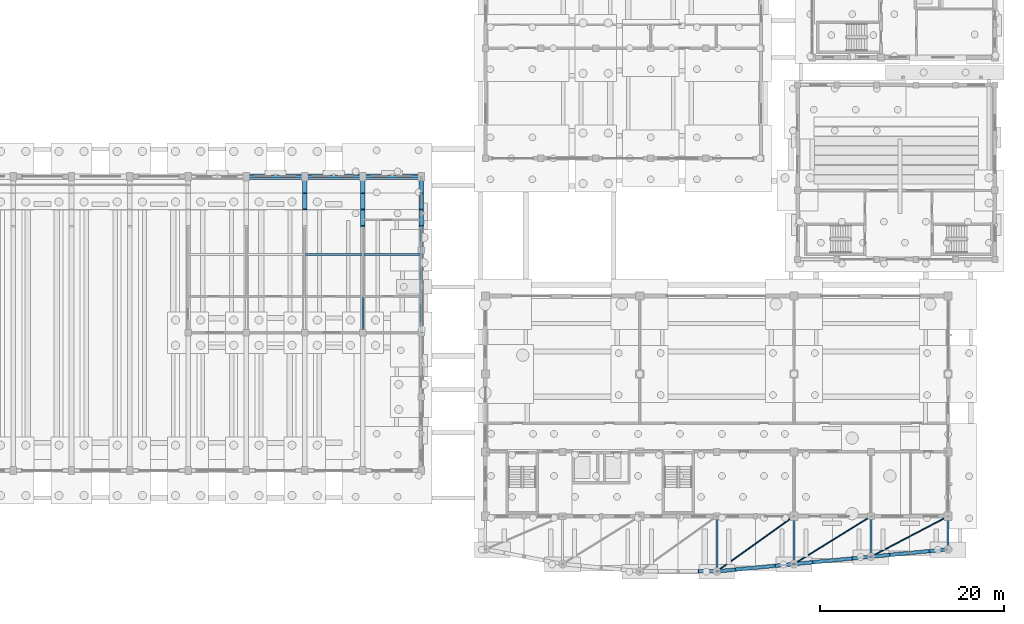
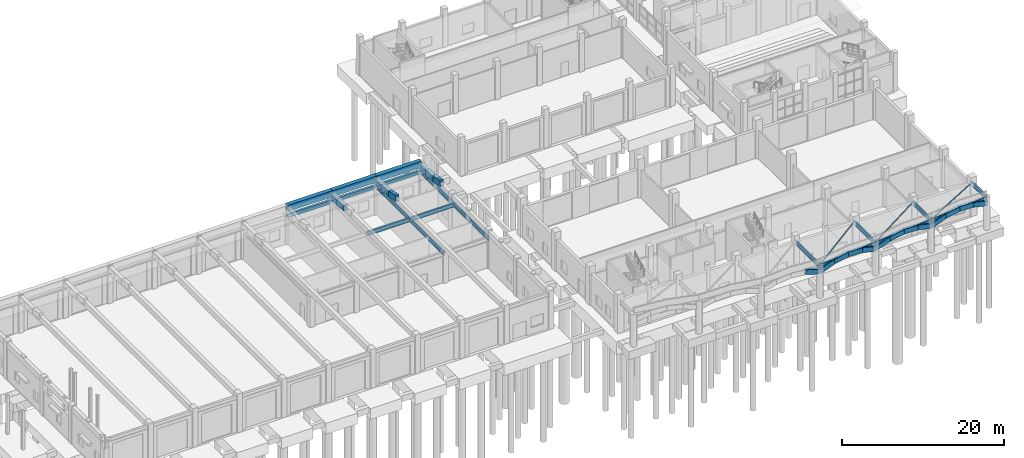
# One storey, part 18 of 60: 24 members, 17 beams.
"""IFC4 building model written with IfcOpenShell, lengths in metres."""

from ifc_helpers import new_model, si_unit, direction, frame, origin, origin_2d, place, context, subcontext, project, spatial, rectangle, hollow_circle, i_section, extrude, material, material_profile, profile_set, type_object, element, save


model = new_model("IFC4")

# Units and contexts
model_context = context("Model", 3, precision=1e-05, world=origin(), true_north=direction((0.0, 1.0)))
body_context = subcontext(model_context, "Body", "Model", "MODEL_VIEW")
ifc_project = project(units=[si_unit("LENGTHUNIT", "METRE"), si_unit("AREAUNIT", "SQUARE_METRE"), si_unit("VOLUMEUNIT", "CUBIC_METRE"), si_unit("PLANEANGLEUNIT", "RADIAN"), si_unit("MASSUNIT", "GRAM", prefix="KILO")], contexts=[model_context])

# Site, building, storey
site_placement = place(None, origin())
site = spatial("IfcSite", under=ifc_project, at=site_placement, CompositionType="ELEMENT")
building_placement = place(site_placement, origin())
building = spatial("IfcBuilding", under=site, at=building_placement, Name="Trellovar Central Fire Station", CompositionType="ELEMENT")
storey_placement = place(building_placement, origin())
storey = spatial("IfcBuildingStorey", under=building, at=storey_placement, Name="L01", CompositionType="ELEMENT", Elevation=0.0)

# Beams
ifc_material_1 = material(Name="Concrete C40/50", Category="concrete")
ifc_material_profile_1 = material_profile(ifc_material_1, rectangle(XDim=0.60009765625, YDim=0.949951171875, at=origin_2d()), Name="RC600X950")
ifc_profile_set_1 = profile_set([ifc_material_profile_1], Name="Concrete C40/50")
beam_type_1 = type_object("IfcBeamType", Name="BM-RG2", PredefinedType="BEAM", material=ifc_profile_set_1)
beam_1_placement = place(storey_placement, frame((79.449951171875, 46.0, 5.324951171875), z_axis=(1.0, 0.0, 0.0), x_axis=(0.0, 1.0, 0.0)))
element("IfcBeam", 1, at=beam_1_placement, inside=storey, type_object=beam_type_1, Name="V1 north vault springing ring beam", PredefinedType="BEAM", context=body_context, shape_type="SweptSolid", body=[
    extrude(rectangle(XDim=0.60009765625, YDim=0.949951171875, at=origin_2d()), origin(), (0.0, 0.0, 1.0), 6.35009765625),
])
beam_2_placement = place(storey_placement, frame((85.800048828125, 46.0, 5.324951171875), z_axis=(1.0, 0.0, 0.0), x_axis=(0.0, 1.0, 0.0)))
element("IfcBeam", 2, at=beam_2_placement, inside=storey, type_object=beam_type_1, Name="V1 north vault springing ring beam", PredefinedType="BEAM", context=body_context, shape_type="SweptSolid", body=[
    extrude(rectangle(XDim=0.60009765625, YDim=0.949951171875, at=origin_2d()), origin(), (0.0, 0.0, 1.0), 6.349853515625),
])
beam_3_placement = place(storey_placement, frame((92.14990234375, 46.0, 5.324951171875), z_axis=(1.0, 0.0, 0.0), x_axis=(0.0, 1.0, 0.0)))
element("IfcBeam", 3, at=beam_3_placement, inside=storey, type_object=beam_type_1, Name="V1 north vault springing ring beam", PredefinedType="BEAM", context=body_context, shape_type="SweptSolid", body=[
    extrude(rectangle(XDim=0.60009765625, YDim=0.949951171875, at=origin_2d()), origin(), (0.0, 0.0, 1.0), 6.35009765625),
])
ifc_material_2 = material(Name="Concrete C40/50", Category="concrete")
ifc_material_profile_2 = material_profile(ifc_material_2, rectangle(XDim=0.300048828125, YDim=0.550048828125, at=origin_2d()), Name="RC300X550")
ifc_profile_set_2 = profile_set([ifc_material_profile_2], Name="Concrete C40/50")
beam_type_2 = type_object("IfcBeamType", Name="BM-SP1", PredefinedType="SPANDREL", material=ifc_profile_set_2)
beam_4_placement = place(storey_placement, frame((79.449951171875, 46.0, 4.074951171875), z_axis=(1.0, 0.0, 0.0), x_axis=(0.0, 1.0, 0.0)))
element("IfcBeam", 4, at=beam_4_placement, inside=storey, type_object=beam_type_2, Name="V1 north tail window spandrel 2", PredefinedType="SPANDREL", context=body_context, shape_type="SweptSolid", body=[
    extrude(rectangle(XDim=0.300048828125, YDim=0.550048828125, at=origin_2d()), origin(), (0.0, 0.0, 1.0), 6.35009765625),
])
ifc_material_3 = material(Name="Concrete C40/50", Category="concrete")
ifc_material_profile_3 = material_profile(ifc_material_3, rectangle(XDim=0.300048828125, YDim=0.5, at=origin_2d()), Name="RC300X500")
ifc_profile_set_3 = profile_set([ifc_material_profile_3], Name="Concrete C40/50")
beam_type_3 = type_object("IfcBeamType", Name="BM-SP2", PredefinedType="SPANDREL", material=ifc_profile_set_3)
beam_5_placement = place(storey_placement, frame((85.800048828125, 46.0, 4.10009765625), z_axis=(1.0, 0.0, 0.0), x_axis=(0.0, 1.0, 0.0)))
element("IfcBeam", 5, at=beam_5_placement, inside=storey, type_object=beam_type_3, Name="V1 north tail window spandrel 3", PredefinedType="SPANDREL", context=body_context, shape_type="SweptSolid", body=[
    extrude(rectangle(XDim=0.300048828125, YDim=0.5, at=origin_2d()), origin(), (0.0, 0.0, 1.0), 6.349853515625),
])
beam_6_placement = place(storey_placement, frame((92.14990234375, 46.0, 4.10009765625), z_axis=(1.0, 0.0, 0.0), x_axis=(0.0, 1.0, 0.0)))
element("IfcBeam", 6, at=beam_6_placement, inside=storey, type_object=beam_type_3, Name="V1 north tail window spandrel 4", PredefinedType="SPANDREL", context=body_context, shape_type="SweptSolid", body=[
    extrude(rectangle(XDim=0.300048828125, YDim=0.5, at=origin_2d()), origin(), (0.0, 0.0, 1.0), 6.35009765625),
])
ifc_material_4 = material(Name="Steel ASTM A992 Grade 50", Category="steel")
ifc_material_profile_4 = material_profile(ifc_material_4, i_section(OverallWidth=0.22900390625, OverallDepth=0.612060546875, WebThickness=0.011962890625, FlangeThickness=0.01953125, FilletRadius=0.01513671875, at=origin_2d()), Name="W24X84")
ifc_profile_set_4 = profile_set([ifc_material_profile_4], Name="Steel ASTM A992 Grade 50")
beam_type_4 = type_object("IfcBeamType", Name="BM-SW5", PredefinedType="BEAM", material=ifc_profile_set_4)
for number, where, z_axis, x_axis, name in (
    (7, (92.14990234375, 29.0, 4.243896484375), (0.0, 1.0, 0.0), (-1.0, 0.0, 0.0), "V1 north tail transverse girder"),
    (8, (98.5, 29.0, 4.243896484375), (0.0, 1.0, 0.0), (-1.0, 0.0, 0.0), "V1 north tail transverse girder"),
):
    element("IfcBeam", number, at=place(storey_placement, frame(where, z_axis=z_axis, x_axis=x_axis)), inside=storey, type_object=beam_type_4, Name=name, PredefinedType="BEAM", context=body_context, shape_type="SweptSolid", body=[
        extrude(i_section(OverallWidth=0.22900390625, OverallDepth=0.612060546875, WebThickness=0.011962890625, FlangeThickness=0.01953125, FilletRadius=0.01513671875, at=origin_2d()), origin(), (0.0, 0.0, 1.0), 17.0),
    ])
beam_7_placement = place(storey_placement, frame((130.699951171875, 3.0, 4.64404296875), z_axis=(0.995495082479, 0.094813188749, 0.0), x_axis=(-0.094813188749, 0.995495082479, 0.0)))
element("IfcBeam", 9, at=beam_7_placement, inside=storey, type_object=beam_type_4, Name="East concave boulevard girder 4", PredefinedType="BEAM", context=body_context, shape_type="SweptSolid", body=[
    extrude(i_section(OverallWidth=0.22900390625, OverallDepth=0.612060546875, WebThickness=0.011962890625, FlangeThickness=0.01953125, FilletRadius=0.01513671875, at=origin_2d()), origin(), (0.0, 0.0, 1.0), 8.438232421875),
])
for number, where, z_axis, x_axis, name in (
    (10, (139.10009765625, 3.800048828125, 4.64404296875), (0.995494822374, 0.094815919692, 0.0), (-0.094815919692, 0.995494822374, 0.0), "East concave boulevard girder 5"),
    (11, (147.5, 4.60009765625, 4.64404296875), (0.99549755299, 0.094787245934, 0.0), (-0.094787245934, 0.99549755299, 0.0), "East concave boulevard girder 6"),
):
    element("IfcBeam", number, at=place(storey_placement, frame(where, z_axis=z_axis, x_axis=x_axis)), inside=storey, type_object=beam_type_4, Name=name, PredefinedType="BEAM", context=body_context, shape_type="SweptSolid", body=[
        extrude(i_section(OverallWidth=0.22900390625, OverallDepth=0.612060546875, WebThickness=0.011962890625, FlangeThickness=0.01953125, FilletRadius=0.01513671875, at=origin_2d()), origin(), (0.0, 0.0, 1.0), 8.43798828125),
    ])
ifc_material_5 = material(Name="Steel ASTM A992 Grade 50", Category="steel")
ifc_material_profile_5 = material_profile(ifc_material_5, i_section(OverallWidth=0.227783203125, OverallDepth=0.60205078125, WebThickness=0.010498046875, FlangeThickness=0.014892578125, FilletRadius=0.01513671875, at=origin_2d()), Name="W24X68")
ifc_profile_set_5 = profile_set([ifc_material_profile_5], Name="Steel ASTM A992 Grade 50")
beam_type_5 = type_object("IfcBeamType", Name="BM-SW6", PredefinedType="BEAM", material=ifc_profile_set_5)
beam_8_placement = place(storey_placement, frame((85.91455078125, 37.5, 4.2490234375), z_axis=(1.0, 0.0, 0.0), x_axis=(0.0, 1.0, 0.0)))
element("IfcBeam", 12, at=beam_8_placement, inside=storey, type_object=beam_type_5, Name="V1 north tail mid girder", PredefinedType="BEAM", context=body_context, shape_type="SweptSolid", body=[
    extrude(i_section(OverallWidth=0.227783203125, OverallDepth=0.60205078125, WebThickness=0.010498046875, FlangeThickness=0.014892578125, FilletRadius=0.01513671875, at=origin_2d()), origin(), (0.0, 0.0, 1.0), 6.120849609375),
])
beam_9_placement = place(storey_placement, frame((92.264404296875, 37.5, 4.2490234375), z_axis=(1.0, 0.0, 0.0), x_axis=(0.0, 1.0, 0.0)))
element("IfcBeam", 13, at=beam_9_placement, inside=storey, type_object=beam_type_5, Name="V1 north tail mid girder", PredefinedType="BEAM", context=body_context, shape_type="SweptSolid", body=[
    extrude(i_section(OverallWidth=0.227783203125, OverallDepth=0.60205078125, WebThickness=0.010498046875, FlangeThickness=0.014892578125, FilletRadius=0.01513671875, at=origin_2d()), origin(), (0.0, 0.0, 1.0), 6.12109375),
])
beam_10_placement = place(storey_placement, frame((130.699951171875, 3.0, 4.64892578125), z_axis=(0.0, 1.0, 0.0), x_axis=(-1.0, 0.0, 0.0)))
element("IfcBeam", 14, at=beam_10_placement, inside=storey, type_object=beam_type_5, Name="East concave arcade radial tie X=130.7", PredefinedType="BEAM", context=body_context, shape_type="SweptSolid", body=[
    extrude(i_section(OverallWidth=0.227783203125, OverallDepth=0.60205078125, WebThickness=0.010498046875, FlangeThickness=0.014892578125, FilletRadius=0.01513671875, at=origin_2d()), origin(), (0.0, 0.0, 1.0), 6.0),
])
beam_11_placement = place(storey_placement, frame((139.10009765625, 3.800048828125, 4.64892578125), z_axis=(0.0, 1.0, 0.0), x_axis=(-1.0, 0.0, 0.0)))
element("IfcBeam", 15, at=beam_11_placement, inside=storey, type_object=beam_type_5, Name="East concave arcade radial tie X=139.1", PredefinedType="BEAM", context=body_context, shape_type="SweptSolid", body=[
    extrude(i_section(OverallWidth=0.227783203125, OverallDepth=0.60205078125, WebThickness=0.010498046875, FlangeThickness=0.014892578125, FilletRadius=0.01513671875, at=origin_2d()), origin(), (0.0, 0.0, 1.0), 5.199951171875),
])
beam_12_placement = place(storey_placement, frame((147.5, 4.60009765625, 4.64892578125), z_axis=(0.0, 1.0, 0.0), x_axis=(-1.0, 0.0, 0.0)))
element("IfcBeam", 16, at=beam_12_placement, inside=storey, type_object=beam_type_5, Name="East concave arcade radial tie X=147.5", PredefinedType="BEAM", context=body_context, shape_type="SweptSolid", body=[
    extrude(i_section(OverallWidth=0.227783203125, OverallDepth=0.60205078125, WebThickness=0.010498046875, FlangeThickness=0.014892578125, FilletRadius=0.01513671875, at=origin_2d()), origin(), (0.0, 0.0, 1.0), 4.39990234375),
])
beam_13_placement = place(storey_placement, frame((155.89990234375, 5.39990234375, 4.64892578125), z_axis=(0.0, 1.0, 0.0), x_axis=(-1.0, 0.0, 0.0)))
element("IfcBeam", 17, at=beam_13_placement, inside=storey, type_object=beam_type_5, Name="East concave arcade radial tie X=155.9", PredefinedType="BEAM", context=body_context, shape_type="SweptSolid", body=[
    extrude(i_section(OverallWidth=0.227783203125, OverallDepth=0.60205078125, WebThickness=0.010498046875, FlangeThickness=0.014892578125, FilletRadius=0.01513671875, at=origin_2d()), origin(), (0.0, 0.0, 1.0), 3.60009765625),
])

# Members
ifc_material_6 = material(Name="Concrete C40/50", Category="concrete")
ifc_material_profile_6 = material_profile(ifc_material_6, rectangle(XDim=0.5, YDim=0.89990234375, at=origin_2d()), Name="RC500X900")
ifc_profile_set_6 = profile_set([ifc_material_profile_6], Name="Concrete C40/50")
member_type_1 = type_object("IfcMemberType", Name="MEM-AR1", PredefinedType="CHORD", material=ifc_profile_set_6)
member_1_placement = place(storey_placement, frame((98.5, 40.6201171875, 5.548095703125), z_axis=(0.0, 0.983094207927, -0.183100459693), x_axis=(-1.0, 0.0, 0.0)))
element("IfcMember", 18, at=member_1_placement, inside=storey, type_object=member_type_1, Name="Parabolic arch rib AR-11 chord 16", PredefinedType="CHORD", context=body_context, shape_type="SweptSolid", body=[
    extrude(rectangle(XDim=0.5, YDim=0.89990234375, at=origin_2d()), origin(), (0.0, 0.0, 1.0), 1.823974609375),
])
member_2_placement = place(storey_placement, frame((98.5, 42.413330078125, 5.214111328125), z_axis=(0.0, 0.993931492222, -0.110000858042), x_axis=(-1.0, 0.0, 0.0)))
element("IfcMember", 19, at=member_2_placement, inside=storey, type_object=member_type_1, Name="Parabolic arch rib AR-11 chord 17", PredefinedType="CHORD", context=body_context, shape_type="SweptSolid", body=[
    extrude(rectangle(XDim=0.5, YDim=0.89990234375, at=origin_2d()), origin(), (0.0, 0.0, 1.0), 1.804443359375),
])
member_3_placement = place(storey_placement, frame((98.5, 44.206787109375, 5.015625), z_axis=(0.0, 0.999330031555, -0.036599016813), x_axis=(-1.0, 0.0, 0.0)))
element("IfcMember", 20, at=member_3_placement, inside=storey, type_object=member_type_1, Name="Parabolic arch rib AR-11 chord 18", PredefinedType="CHORD", context=body_context, shape_type="SweptSolid", body=[
    extrude(rectangle(XDim=0.5, YDim=0.89990234375, at=origin_2d()), origin(), (0.0, 0.0, 1.0), 1.79443359375),
])
ifc_material_7 = material(Name="Concrete C40/50", Category="concrete")
ifc_material_profile_7 = material_profile(ifc_material_7, rectangle(XDim=0.5, YDim=0.85009765625, at=origin_2d()), Name="RC500X850")
ifc_profile_set_7 = profile_set([ifc_material_profile_7], Name="Concrete C40/50")
member_type_2 = type_object("IfcMemberType", Name="MEM-AR2", PredefinedType="CHORD", material=ifc_profile_set_7)
member_4_placement = place(storey_placement, frame((85.800048828125, 42.413330078125, 5.214111328125), z_axis=(0.0, 0.993931492222, -0.110000858042), x_axis=(-1.0, 0.0, 0.0)))
element("IfcMember", 21, at=member_4_placement, inside=storey, type_object=member_type_2, Name="Parabolic arch rib AR-09 chord 17", PredefinedType="CHORD", context=body_context, shape_type="SweptSolid", body=[
    extrude(rectangle(XDim=0.5, YDim=0.85009765625, at=origin_2d()), origin(), (0.0, 0.0, 1.0), 1.804443359375),
])
member_5_placement = place(storey_placement, frame((85.800048828125, 44.206787109375, 5.015625), z_axis=(0.0, 0.999330031555, -0.036599016813), x_axis=(-1.0, 0.0, 0.0)))
element("IfcMember", 22, at=member_5_placement, inside=storey, type_object=member_type_2, Name="Parabolic arch rib AR-09 chord 18", PredefinedType="CHORD", context=body_context, shape_type="SweptSolid", body=[
    extrude(rectangle(XDim=0.5, YDim=0.85009765625, at=origin_2d()), origin(), (0.0, 0.0, 1.0), 1.79443359375),
])
member_6_placement = place(storey_placement, frame((92.14990234375, 40.6201171875, 5.548095703125), z_axis=(0.0, 0.983094207927, -0.183100459693), x_axis=(-1.0, 0.0, 0.0)))
element("IfcMember", 23, at=member_6_placement, inside=storey, type_object=member_type_2, Name="Parabolic arch rib AR-10 chord 16", PredefinedType="CHORD", context=body_context, shape_type="SweptSolid", body=[
    extrude(rectangle(XDim=0.5, YDim=0.85009765625, at=origin_2d()), origin(), (0.0, 0.0, 1.0), 1.823974609375),
])
member_7_placement = place(storey_placement, frame((92.14990234375, 42.413330078125, 5.214111328125), z_axis=(0.0, 0.993931492222, -0.110000858042), x_axis=(-1.0, 0.0, 0.0)))
element("IfcMember", 24, at=member_7_placement, inside=storey, type_object=member_type_2, Name="Parabolic arch rib AR-10 chord 17", PredefinedType="CHORD", context=body_context, shape_type="SweptSolid", body=[
    extrude(rectangle(XDim=0.5, YDim=0.85009765625, at=origin_2d()), origin(), (0.0, 0.0, 1.0), 1.804443359375),
])
member_8_placement = place(storey_placement, frame((92.14990234375, 44.206787109375, 5.015625), z_axis=(0.0, 0.999330031555, -0.036599016813), x_axis=(-1.0, 0.0, 0.0)))
element("IfcMember", 25, at=member_8_placement, inside=storey, type_object=member_type_2, Name="Parabolic arch rib AR-10 chord 18", PredefinedType="CHORD", context=body_context, shape_type="SweptSolid", body=[
    extrude(rectangle(XDim=0.5, YDim=0.85009765625, at=origin_2d()), origin(), (0.0, 0.0, 1.0), 1.79443359375),
])
ifc_material_8 = material(Name="Concrete C40/50", Category="concrete")
ifc_material_profile_8 = material_profile(ifc_material_8, rectangle(XDim=0.39990234375, YDim=0.699951171875, at=origin_2d()), Name="RC400X700")
ifc_profile_set_8 = profile_set([ifc_material_profile_8], Name="Concrete C40/50")
member_type_3 = type_object("IfcMemberType", Name="MEM-LR1", PredefinedType="CHORD", material=ifc_profile_set_8)
member_9_placement = place(storey_placement, frame((128.60009765625, 3.0, 4.53759765625), z_axis=(0.956850201326, 0.0, -0.290581644677), x_axis=(0.0, 1.0, 0.0)))
element("IfcMember", 26, at=member_9_placement, inside=storey, type_object=member_type_3, Name="East concave boulevard parabolic arch 3 seg 4", PredefinedType="CHORD", context=body_context, shape_type="SweptSolid", body=[
    extrude(rectangle(XDim=0.39990234375, YDim=0.699951171875, at=origin_2d()), origin(), (0.0, 0.0, 1.0), 2.194580078125),
])
member_10_placement = place(storey_placement, frame((130.699951171875, 3.0, 3.89990234375), z_axis=(0.952913290628, 0.090727270986, 0.2893524198), x_axis=(-0.094781785826, 0.995498072864, 0.0)))
element("IfcMember", 27, at=member_10_placement, inside=storey, type_object=member_type_3, Name="East concave boulevard parabolic arch 4 seg 1", PredefinedType="CHORD", context=body_context, shape_type="SweptSolid", body=[
    extrude(rectangle(XDim=0.39990234375, YDim=0.699951171875, at=origin_2d()), origin(), (0.0, 0.0, 1.0), 2.203857421875),
])
member_11_placement = place(storey_placement, frame((132.800048828125, 3.199951171875, 4.53759765625), z_axis=(0.990488124537, 0.094315750959, 0.10018889296), x_axis=(-0.094792706668, 0.995497033026, 0.0)))
element("IfcMember", 28, at=member_11_placement, inside=storey, type_object=member_type_3, Name="East concave boulevard parabolic arch 4 seg 2", PredefinedType="CHORD", context=body_context, shape_type="SweptSolid", body=[
    extrude(rectangle(XDim=0.39990234375, YDim=0.699951171875, at=origin_2d()), origin(), (0.0, 0.0, 1.0), 2.1201171875),
])
member_12_placement = place(storey_placement, frame((134.89990234375, 3.39990234375, 4.75), z_axis=(0.990479542496, 0.094419114723, -0.100176377816), x_axis=(-0.094896472956, 0.995487146788, 0.0)))
element("IfcMember", 29, at=member_12_placement, inside=storey, type_object=member_type_3, Name="East concave boulevard parabolic arch 4 seg 3", PredefinedType="CHORD", context=body_context, shape_type="SweptSolid", body=[
    extrude(rectangle(XDim=0.39990234375, YDim=0.699951171875, at=origin_2d()), origin(), (0.0, 0.0, 1.0), 2.120361328125),
])
member_13_placement = place(storey_placement, frame((137.0, 3.60009765625, 4.53759765625), z_axis=(0.952913290628, 0.090727270986, -0.2893524198), x_axis=(-0.094781785826, 0.995498072864, 0.0)))
element("IfcMember", 30, at=member_13_placement, inside=storey, type_object=member_type_3, Name="East concave boulevard parabolic arch 4 seg 4", PredefinedType="CHORD", context=body_context, shape_type="SweptSolid", body=[
    extrude(rectangle(XDim=0.39990234375, YDim=0.699951171875, at=origin_2d()), origin(), (0.0, 0.0, 1.0), 2.203857421875),
])
member_14_placement = place(storey_placement, frame((139.10009765625, 3.800048828125, 3.89990234375), z_axis=(0.952903102274, 0.090736849292, 0.289382967462), x_axis=(-0.094792706668, 0.995497033026, 0.0)))
element("IfcMember", 31, at=member_14_placement, inside=storey, type_object=member_type_3, Name="East concave boulevard parabolic arch 5 seg 1", PredefinedType="CHORD", context=body_context, shape_type="SweptSolid", body=[
    extrude(rectangle(XDim=0.39990234375, YDim=0.699951171875, at=origin_2d()), origin(), (0.0, 0.0, 1.0), 2.20361328125),
])
member_15_placement = place(storey_placement, frame((141.199951171875, 4.0, 4.53759765625), z_axis=(0.990490304513, 0.094304994117, 0.100177466278), x_axis=(-0.094781785826, 0.995498072864, 0.0)))
element("IfcMember", 32, at=member_15_placement, inside=storey, type_object=member_type_3, Name="East concave boulevard parabolic arch 5 seg 2", PredefinedType="CHORD", context=body_context, shape_type="SweptSolid", body=[
    extrude(rectangle(XDim=0.39990234375, YDim=0.699951171875, at=origin_2d()), origin(), (0.0, 0.0, 1.0), 2.120361328125),
])
member_16_placement = place(storey_placement, frame((143.300048828125, 4.199951171875, 4.75), z_axis=(0.990488124537, 0.094315750959, -0.10018889296), x_axis=(-0.094792706668, 0.995497033026, 0.0)))
element("IfcMember", 33, at=member_16_placement, inside=storey, type_object=member_type_3, Name="East concave boulevard parabolic arch 5 seg 3", PredefinedType="CHORD", context=body_context, shape_type="SweptSolid", body=[
    extrude(rectangle(XDim=0.39990234375, YDim=0.699951171875, at=origin_2d()), origin(), (0.0, 0.0, 1.0), 2.1201171875),
])
for number, where, z_axis, x_axis, name in (
    (34, (145.39990234375, 4.39990234375, 4.53759765625), (0.952903707579, 0.090837135575, -0.289349509904), (-0.094896472956, 0.995487146788, 0.0), "East concave boulevard parabolic arch 5 seg 4"),
    (35, (147.5, 4.60009765625, 3.89990234375), (0.952913290628, 0.090727270986, 0.2893524198), (-0.094781785826, 0.995498072864, 0.0), "East concave boulevard parabolic arch 6 seg 1"),
):
    element("IfcMember", number, at=place(storey_placement, frame(where, z_axis=z_axis, x_axis=x_axis)), inside=storey, type_object=member_type_3, Name=name, PredefinedType="CHORD", context=body_context, shape_type="SweptSolid", body=[
        extrude(rectangle(XDim=0.39990234375, YDim=0.699951171875, at=origin_2d()), origin(), (0.0, 0.0, 1.0), 2.203857421875),
    ])
member_17_placement = place(storey_placement, frame((149.60009765625, 4.800048828125, 4.53759765625), z_axis=(0.990488124537, 0.094315750959, 0.10018889296), x_axis=(-0.094792706668, 0.995497033026, 0.0)))
element("IfcMember", 36, at=member_17_placement, inside=storey, type_object=member_type_3, Name="East concave boulevard parabolic arch 6 seg 2", PredefinedType="CHORD", context=body_context, shape_type="SweptSolid", body=[
    extrude(rectangle(XDim=0.39990234375, YDim=0.699951171875, at=origin_2d()), origin(), (0.0, 0.0, 1.0), 2.1201171875),
])
member_18_placement = place(storey_placement, frame((151.699951171875, 5.0, 4.75), z_axis=(0.990490304513, 0.094304994117, -0.100177466278), x_axis=(-0.094781785826, 0.995498072864, 0.0)))
element("IfcMember", 37, at=member_18_placement, inside=storey, type_object=member_type_3, Name="East concave boulevard parabolic arch 6 seg 3", PredefinedType="CHORD", context=body_context, shape_type="SweptSolid", body=[
    extrude(rectangle(XDim=0.39990234375, YDim=0.699951171875, at=origin_2d()), origin(), (0.0, 0.0, 1.0), 2.120361328125),
])
member_19_placement = place(storey_placement, frame((153.800048828125, 5.199951171875, 4.53759765625), z_axis=(0.952903102274, 0.090736849292, -0.289382967462), x_axis=(-0.094792706668, 0.995497033026, 0.0)))
element("IfcMember", 38, at=member_19_placement, inside=storey, type_object=member_type_3, Name="East concave boulevard parabolic arch 6 seg 4", PredefinedType="CHORD", context=body_context, shape_type="SweptSolid", body=[
    extrude(rectangle(XDim=0.39990234375, YDim=0.699951171875, at=origin_2d()), origin(), (0.0, 0.0, 1.0), 2.20361328125),
])
ifc_material_9 = material(Name="Steel ASTM A500 Grade C", Category="steel")
ifc_material_profile_9 = material_profile(ifc_material_9, hollow_circle(Radius=0.084228515625, WallThickness=0.00732421875, at=origin_2d()), Name="HSS6.625X0.312")
ifc_profile_set_9 = profile_set([ifc_material_profile_9], Name="Steel ASTM A500 Grade C")
member_type_4 = type_object("IfcMemberType", Name="MEM-ST3", PredefinedType="STRUT", material=ifc_profile_set_9)
member_20_placement = place(storey_placement, frame((130.699951171875, 3.0, 4.800048828125), z_axis=(0.813738265173, 0.581231482108, 0.0), x_axis=(-0.581231482108, 0.813738265173, 0.0)))
element("IfcMember", 39, at=member_20_placement, inside=storey, type_object=member_type_4, Name="East boulevard canopy diagonal strut 4", PredefinedType="STRUT", context=body_context, shape_type="SweptSolid", body=[
    extrude(hollow_circle(Radius=0.084228515625, WallThickness=0.00732421875, at=origin_2d()), origin(), (0.0, 0.0, 1.0), 10.322998046875),
])
member_21_placement = place(storey_placement, frame((139.10009765625, 3.800048828125, 4.800048828125), z_axis=(0.850264620024, 0.526355465381, 0.0), x_axis=(-0.526355465381, 0.850264620024, 0.0)))
element("IfcMember", 40, at=member_21_placement, inside=storey, type_object=member_type_4, Name="East boulevard canopy diagonal strut 5", PredefinedType="STRUT", context=body_context, shape_type="SweptSolid", body=[
    extrude(hollow_circle(Radius=0.084228515625, WallThickness=0.00732421875, at=origin_2d()), origin(), (0.0, 0.0, 1.0), 9.879150390625),
])
member_22_placement = place(storey_placement, frame((147.5, 4.60009765625, 4.800048828125), z_axis=(0.885833551011, 0.464003146437, 0.0), x_axis=(-0.464003146437, 0.885833551011, 0.0)))
element("IfcMember", 41, at=member_22_placement, inside=storey, type_object=member_type_4, Name="East boulevard canopy diagonal strut 6", PredefinedType="STRUT", context=body_context, shape_type="SweptSolid", body=[
    extrude(hollow_circle(Radius=0.084228515625, WallThickness=0.00732421875, at=origin_2d()), origin(), (0.0, 0.0, 1.0), 9.482421875),
])

save(model, "model.ifc")
